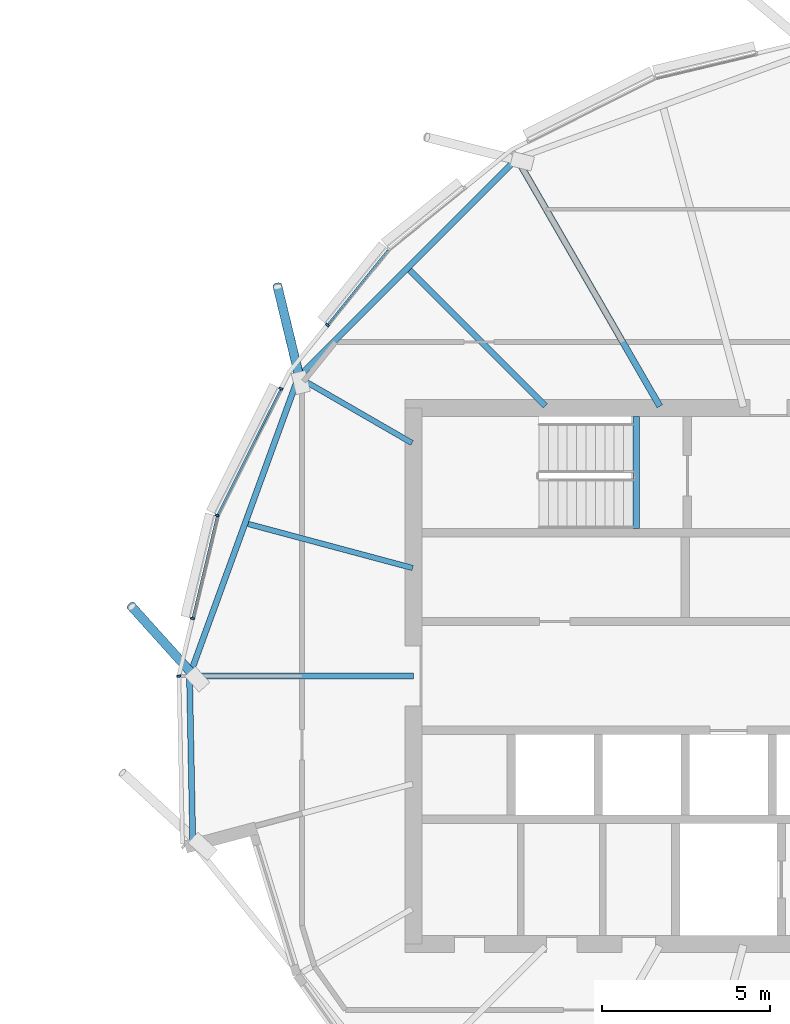
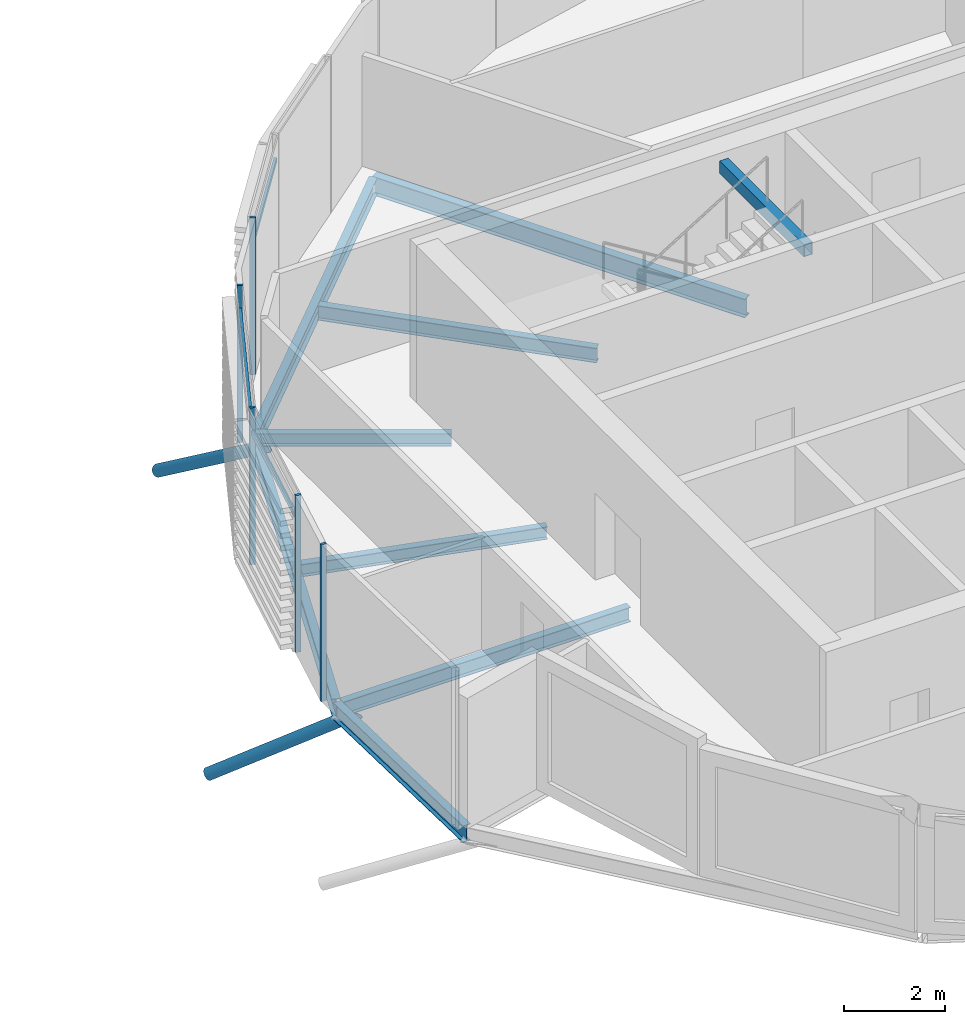
# One storey, part 11 of 34: 10 members, 9 beams, 1 element without a shape of its own.
"""IFC4 building model written with IfcOpenShell, lengths in metres."""

from ifc_helpers import new_model, si_unit, direction, frame, origin, origin_2d, place, context, subcontext, project, spatial, rectangle, hollow_rectangle, hollow_circle, i_section, extrude, clip, halfspace, material, material_profile, profile_set, type_object, element, aggregate, save


model = new_model("IFC4")

# Units and contexts
model_context = context("Model", 3, precision=1e-05, world=origin(), true_north=direction((0.0, 1.0)))
body_context = subcontext(model_context, "Body", "Model", "MODEL_VIEW")
ifc_project = project(units=[si_unit("LENGTHUNIT", "METRE"), si_unit("AREAUNIT", "SQUARE_METRE"), si_unit("VOLUMEUNIT", "CUBIC_METRE"), si_unit("PLANEANGLEUNIT", "RADIAN"), si_unit("MASSUNIT", "GRAM", prefix="KILO")], contexts=[model_context])

# Site, building, storey
site_placement = place(None, origin())
site = spatial("IfcSite", under=ifc_project, at=site_placement, CompositionType="ELEMENT")
building_placement = place(site_placement, origin())
building = spatial("IfcBuilding", under=site, at=building_placement, Name="Rimbun Link Towers", CompositionType="ELEMENT")
storey_placement = place(building_placement, frame((0.0, 0.0, 252.300048828125)))
storey = spatial("IfcBuildingStorey", under=building, at=storey_placement, Name="L62", CompositionType="ELEMENT", Elevation=252.300048828125)

# Curtain wall, members
ifc_material_1 = material(Name="Aluminium 6063-T6 and low-iron glass", Category="aluminium")
curtain_wall_type = type_object("IfcCurtainWallType", Name="CW1-Z4 unitised vision wall (zone 4)", PredefinedType="NOTDEFINED", material=ifc_material_1)
curtain_wall_placement = place(storey_placement, origin())
curtain_wall = element("IfcCurtainWall", 1, at=curtain_wall_placement, inside=storey, type_object=curtain_wall_type, Name="CW1 L62 T2", PredefinedType="NOTDEFINED")
ifc_material_2 = material(Name="Aluminium 6063-T6", Category="aluminium")
ifc_material_profile_1 = material_profile(ifc_material_2, rectangle(XDim=0.1201171875, YDim=0.06005859375, at=origin_2d()), Name="MULLION 60X120")
ifc_profile_set_1 = profile_set([ifc_material_profile_1], Name="Aluminium 6063-T6")
member_type_1 = type_object("IfcMemberType", Name="CW1 mullion 60X120", PredefinedType="MULLION", material=ifc_profile_set_1)
member_1_placement = place(storey_placement, frame((17.18115234375, 10.47509765625, 0.0), z_axis=(0.0, 0.0, 1.0), x_axis=(-0.777276551105, 0.629159092045, 0.0)))
member_1 = element("IfcMember", 2, at=member_1_placement, type_object=member_type_1, Name="CW1 mullion", PredefinedType="MULLION", context=body_context, shape_type="SweptSolid", body=[
    extrude(rectangle(XDim=0.1201171875, YDim=0.06005859375, at=origin_2d()), origin(), (0.0, 0.0, 1.0), 3.800048828125),
])
member_2_placement = place(storey_placement, frame((13.89501953125, 4.789794921875, 0.0), z_axis=(0.0, 0.0, 1.0), x_axis=(-0.939348063646, 0.342965326709, 0.0)))
member_2 = element("IfcMember", 3, at=member_2_placement, type_object=member_type_1, Name="CW1 mullion", PredefinedType="MULLION", context=body_context, shape_type="SweptSolid", body=[
    extrude(rectangle(XDim=0.1201171875, YDim=0.06005859375, at=origin_2d()), origin(), (0.0, 0.0, 1.0), 3.800048828125),
])
member_3_placement = place(storey_placement, frame((15.794921875, 8.57373046875, 0.0), z_axis=(0.0, 0.0, 1.0), x_axis=(-0.893647148893, 0.4487702901, 0.0)))
member_3 = element("IfcMember", 4, at=member_3_placement, type_object=member_type_1, Name="CW1 mullion", PredefinedType="MULLION", context=body_context, shape_type="SweptSolid", body=[
    extrude(rectangle(XDim=0.1201171875, YDim=0.06005859375, at=origin_2d()), origin(), (0.0, 0.0, 1.0), 3.800048828125),
])
member_4_placement = place(storey_placement, frame((13.159423828125, 1.716064453125, 0.0), z_axis=(0.0, 0.0, 1.0), x_axis=(-0.972571370192, 0.232604664363, 0.0)))
member_4 = element("IfcMember", 5, at=member_4_placement, type_object=member_type_1, Name="CW1 mullion", PredefinedType="MULLION", context=body_context, shape_type="SweptSolid", body=[
    extrude(rectangle(XDim=0.1201171875, YDim=0.06005859375, at=origin_2d()), origin(), (0.0, 0.0, 1.0), 3.800048828125),
])
member_5_placement = place(storey_placement, frame((12.750732421875, -0.001220703125, 0.0), z_axis=(0.0, 0.0, 1.0), x_axis=(-0.999778207989, -0.021060266635, 0.0)))
member_5 = element("IfcMember", 6, at=member_5_placement, type_object=member_type_1, Name="CW1 mullion", PredefinedType="MULLION", context=body_context, shape_type="SweptSolid", body=[
    extrude(rectangle(XDim=0.1201171875, YDim=0.06005859375, at=origin_2d()), origin(), (0.0, 0.0, 1.0), 3.800048828125),
])
ifc_material_3 = material(Name="Aluminium 6063-T6", Category="aluminium")
ifc_material_profile_2 = material_profile(ifc_material_3, rectangle(XDim=0.06005859375, YDim=0.1201171875, at=origin_2d()), Name="TRANSOM 60X120")
ifc_profile_set_2 = profile_set([ifc_material_profile_2], Name="Aluminium 6063-T6")
member_type_2 = type_object("IfcMemberType", Name="CW1 transom 60X120", PredefinedType="USERDEFINED", material=ifc_profile_set_2)
member_6_placement = place(storey_placement, frame((17.20166015625, 10.497314453125, 3.199951171875), z_axis=(0.629185882158, 0.777254865339, 0.0), x_axis=(-0.777254865339, 0.629185882158, 0.0)))
member_6 = element("IfcMember", 7, at=member_6_placement, type_object=member_type_2, Name="CW1 transom", ObjectType="TRANSOM", PredefinedType="USERDEFINED", context=body_context, shape_type="SweptSolid", body=[
    extrude(rectangle(XDim=0.06005859375, YDim=0.1201171875, at=origin_2d()), origin(), (0.0, 0.0, 1.0), 2.84423828125),
])
member_7_placement = place(storey_placement, frame((13.9130859375, 4.822021484375, 3.199951171875), z_axis=(0.448783061239, 0.893640735388, 0.0), x_axis=(-0.893640735388, 0.448783061239, 0.0)))
member_7 = element("IfcMember", 8, at=member_7_placement, type_object=member_type_2, Name="CW1 transom", ObjectType="TRANSOM", PredefinedType="USERDEFINED", context=body_context, shape_type="SweptSolid", body=[
    extrude(rectangle(XDim=0.06005859375, YDim=0.1201171875, at=origin_2d()), origin(), (0.0, 0.0, 1.0), 4.1669921875),
])
member_8_placement = place(storey_placement, frame((13.16845703125, 1.74462890625, 3.199951171875), z_axis=(0.232569967618, 0.972579667771, 0.0), x_axis=(-0.972579667771, 0.232569967618, 0.0)))
member_8 = element("IfcMember", 9, at=member_8_placement, type_object=member_type_2, Name="CW1 transom", ObjectType="TRANSOM", PredefinedType="USERDEFINED", context=body_context, shape_type="SweptSolid", body=[
    extrude(rectangle(XDim=0.06005859375, YDim=0.1201171875, at=origin_2d()), origin(), (0.0, 0.0, 1.0), 3.093505859375),
])
aggregate(curtain_wall, [member_1, member_2, member_3, member_4, member_5, member_6, member_7, member_8])

# Members
ifc_material_4 = material(Name="Steel S355J2H", Category="steel")
ifc_material_profile_3 = material_profile(ifc_material_4, hollow_circle(Radius=0.136474609375, WallThickness=0.012451171875, at=origin_2d()), Name="CHS 273x12.5")
ifc_profile_set_3 = profile_set([ifc_material_profile_3], Name="Steel S355J2H")
member_type_3 = type_object("IfcMemberType", Name="Floor edge link CHS 273x12.5", PredefinedType="BRACE", material=ifc_profile_set_3)
member_9_placement = place(storey_placement, frame((16.35791015625, 8.88671875, -0.5556640625), z_axis=(-0.193472895949, 0.798701222914, -0.569775916523), x_axis=(-0.971892340442, -0.235425739015, 0.0)))
element("IfcMember", 10, at=member_9_placement, inside=storey, type_object=member_type_3, Name="Floor edge link T2 L62 07", PredefinedType="BRACE", context=body_context, shape_type="Clipping", body=[
    clip(extrude(hollow_circle(Radius=0.136474609375, WallThickness=0.012451171875, at=origin_2d()), frame((0.0, 0.0, -0.411376953125)), (0.0, 0.0, 1.0), 3.875244140625), halfspace(frame((0.0, 0.0, -0.193359375), z_axis=(0.0, 0.821800100359, -0.569775916523)), False)),
])
member_10_placement = place(storey_placement, frame((13.207763671875, 0.0, -0.607421875), z_axis=(-0.550774478011, 0.611370351416, -0.568219823468), x_axis=(-0.742967051084, -0.669327992096, 0.0)))
element("IfcMember", 11, at=member_10_placement, inside=storey, type_object=member_type_3, Name="Floor edge link T2 L62 09", PredefinedType="BRACE", context=body_context, shape_type="Clipping", body=[
    clip(extrude(hollow_circle(Radius=0.136474609375, WallThickness=0.012451171875, at=origin_2d()), frame((0.0, 0.0, -0.4130859375)), (0.0, 0.0, 1.0), 3.841796875), halfspace(frame((0.0, 0.0, -0.1943359375), z_axis=(0.0, 0.822876802576, -0.568219823468)), False)),
])

# Beams
ifc_material_5 = material(Name="Steel S355J2", Category="steel")
ifc_material_profile_4 = material_profile(ifc_material_5, hollow_rectangle(XDim=0.199951171875, YDim=0.300048828125, WallThickness=0.011962890625, at=origin_2d()), Name="BOX 300x200x12")
ifc_profile_set_4 = profile_set([ifc_material_profile_4], Name="Steel S355J2")
beam_type_1 = type_object("IfcBeamType", Name="Stair trimmer beam BOX 300x200x12", PredefinedType="BEAM", material=ifc_profile_set_4)
beam_1_placement = place(storey_placement, frame((26.39990234375, 7.75, 3.469970703125), z_axis=(0.0, -1.0, 0.0), x_axis=(1.0, 0.0, 0.0)))
element("IfcBeam", 12, at=beam_1_placement, inside=storey, type_object=beam_type_1, Name="L62 ST3 stair beam 1", PredefinedType="BEAM", context=body_context, shape_type="SweptSolid", body=[
    extrude(hollow_rectangle(XDim=0.199951171875, YDim=0.300048828125, WallThickness=0.011962890625, at=origin_2d()), origin(), (0.0, 0.0, 1.0), 3.35009765625),
])
ifc_material_6 = material(Name="Steel S355J2", Category="steel")
ifc_material_profile_5 = material_profile(ifc_material_6, i_section(OverallWidth=0.1650390625, OverallDepth=0.303466796875, WebThickness=0.006103515625, FlangeThickness=0.01025390625, at=origin_2d()), Name="UB 305x165x40")
ifc_profile_set_5 = profile_set([ifc_material_profile_5], Name="Steel S355J2")
beam_type_2 = type_object("IfcBeamType", Name="UB 305x165x40", PredefinedType="BEAM", material=ifc_profile_set_5)
beam_2_placement = place(storey_placement, frame((19.7080078125, 6.952392578125, -0.291748046875), z_axis=(-0.866029956157, 0.499992114976, 0.0), x_axis=(-0.499992114976, -0.866029956157, 0.0)))
element("IfcBeam", 13, at=beam_2_placement, inside=storey, type_object=beam_type_2, Name="Radial beam T2 L62 07", PredefinedType="BEAM", context=body_context, shape_type="SweptSolid", body=[
    extrude(i_section(OverallWidth=0.1650390625, OverallDepth=0.303466796875, WebThickness=0.006103515625, FlangeThickness=0.01025390625, at=origin_2d()), origin(), (0.0, 0.0, 1.0), 3.91845703125),
])
beam_3_placement = place(storey_placement, frame((19.727783203125, 3.221435546875, -0.291748046875), z_axis=(-0.965926618038, 0.258816090238, 0.0), x_axis=(-0.258816090238, -0.965926618038, 0.0)))
element("IfcBeam", 14, at=beam_3_placement, inside=storey, type_object=beam_type_2, Name="Radial beam T2 L62 08", PredefinedType="BEAM", context=body_context, shape_type="SweptSolid", body=[
    extrude(i_section(OverallWidth=0.1650390625, OverallDepth=0.303466796875, WebThickness=0.006103515625, FlangeThickness=0.01025390625, at=origin_2d()), origin(), (0.0, 0.0, 1.0), 5.08447265625),
])
ifc_material_7 = material(Name="Steel S355J2", Category="steel")
ifc_material_profile_6 = material_profile(ifc_material_7, i_section(OverallWidth=0.17138671875, OverallDepth=0.35498046875, WebThickness=0.00732421875, FlangeThickness=0.011474609375, at=origin_2d()), Name="UB 356x171x51")
ifc_profile_set_6 = profile_set([ifc_material_profile_6], Name="Steel S355J2")
beam_type_3 = type_object("IfcBeamType", Name="UB 356x171x51", PredefinedType="BEAM", material=ifc_profile_set_6)
beam_4_placement = place(storey_placement, frame((23.688720703125, 8.061279296875, -0.317626953125), z_axis=(-0.707106781187, 0.707106781187, 0.0), x_axis=(-0.707106781187, -0.707106781187, 0.0)))
element("IfcBeam", 15, at=beam_4_placement, inside=storey, type_object=beam_type_3, Name="Radial beam T2 L62 06", PredefinedType="BEAM", context=body_context, shape_type="SweptSolid", body=[
    extrude(i_section(OverallWidth=0.17138671875, OverallDepth=0.35498046875, WebThickness=0.00732421875, FlangeThickness=0.011474609375, at=origin_2d()), origin(), (0.0, 0.0, 1.0), 5.725830078125),
])
beam_5_placement = place(storey_placement, frame((19.7490234375, 0.0, -0.317626953125), z_axis=(-1.0, 0.0, 0.0), x_axis=(0.0, -1.0, 0.0)))
element("IfcBeam", 16, at=beam_5_placement, inside=storey, type_object=beam_type_3, Name="Radial beam T2 L62 09", PredefinedType="BEAM", context=body_context, shape_type="SweptSolid", body=[
    extrude(i_section(OverallWidth=0.17138671875, OverallDepth=0.35498046875, WebThickness=0.00732421875, FlangeThickness=0.011474609375, at=origin_2d()), origin(), (0.0, 0.0, 1.0), 6.59130859375),
])
ifc_material_8 = material(Name="Steel S355J2", Category="steel")
ifc_material_profile_7 = material_profile(ifc_material_8, i_section(OverallWidth=0.177978515625, OverallDepth=0.406494140625, WebThickness=0.0078125, FlangeThickness=0.0126953125, at=origin_2d()), Name="UB 406x178x60")
ifc_profile_set_7 = profile_set([ifc_material_profile_7], Name="Steel S355J2")
beam_type_4 = type_object("IfcBeamType", Name="UB 406x178x60", PredefinedType="BEAM", material=ifc_profile_set_7)
beam_6_placement = place(storey_placement, frame((22.76806640625, 15.365234375, -0.34326171875), z_axis=(-0.707120283966, -0.70709327815, 0.0), x_axis=(0.70709327815, -0.707120283966, 0.0)))
element("IfcBeam", 17, at=beam_6_placement, inside=storey, type_object=beam_type_4, Name="Edge beam T2 L62 05-07", PredefinedType="BEAM", context=body_context, shape_type="SweptSolid", body=[
    extrude(i_section(OverallWidth=0.177978515625, OverallDepth=0.406494140625, WebThickness=0.0078125, FlangeThickness=0.0126953125, at=origin_2d()), origin(), (0.0, 0.0, 1.0), 9.040283203125),
])
beam_7_placement = place(storey_placement, frame((16.285400390625, 8.83203125, -0.34326171875), z_axis=(-0.342303216712, -0.939589542209, 0.0), x_axis=(0.939589542209, -0.342303216712, 0.0)))
element("IfcBeam", 18, at=beam_7_placement, inside=storey, type_object=beam_type_4, Name="Edge beam T2 L62 07-09", PredefinedType="BEAM", context=body_context, shape_type="SweptSolid", body=[
    extrude(i_section(OverallWidth=0.177978515625, OverallDepth=0.406494140625, WebThickness=0.0078125, FlangeThickness=0.0126953125, at=origin_2d()), origin(), (0.0, 0.0, 1.0), 9.3076171875),
])
beam_8_placement = place(storey_placement, frame((13.06787109375, -0.0009765625, -0.34326171875), z_axis=(0.019664629175, -0.999806632484, 0.0), x_axis=(0.999806632484, 0.019664629175, 0.0)))
element("IfcBeam", 19, at=beam_8_placement, inside=storey, type_object=beam_type_4, Name="Edge beam T2 L62 09", PredefinedType="BEAM", context=body_context, shape_type="SweptSolid", body=[
    extrude(i_section(OverallWidth=0.177978515625, OverallDepth=0.406494140625, WebThickness=0.0078125, FlangeThickness=0.0126953125, at=origin_2d()), origin(), (0.0, 0.0, 1.0), 4.978515625),
])
ifc_material_9 = material(Name="Steel S355J2", Category="steel")
ifc_material_profile_8 = material_profile(ifc_material_9, i_section(OverallWidth=0.18994140625, OverallDepth=0.453369140625, WebThickness=0.008544921875, FlangeThickness=0.0126953125, at=origin_2d()), Name="UB 457x191x67")
ifc_profile_set_8 = profile_set([ifc_material_profile_8], Name="Steel S355J2")
beam_type_5 = type_object("IfcBeamType", Name="UB 457x191x67", PredefinedType="BEAM", material=ifc_profile_set_8)
beam_9_placement = place(storey_placement, frame((27.103271484375, 8.04833984375, -0.36669921875), z_axis=(-0.499990030109, 0.866031159827, 0.0), x_axis=(-0.866031159827, -0.499990030109, 0.0)))
element("IfcBeam", 20, at=beam_9_placement, inside=storey, type_object=beam_type_5, Name="Radial beam T2 L62 05", PredefinedType="BEAM", context=body_context, shape_type="SweptSolid", body=[
    extrude(i_section(OverallWidth=0.18994140625, OverallDepth=0.453369140625, WebThickness=0.008544921875, FlangeThickness=0.0126953125, at=origin_2d()), origin(), (0.0, 0.0, 1.0), 8.530029296875),
])

save(model, "model.ifc")
